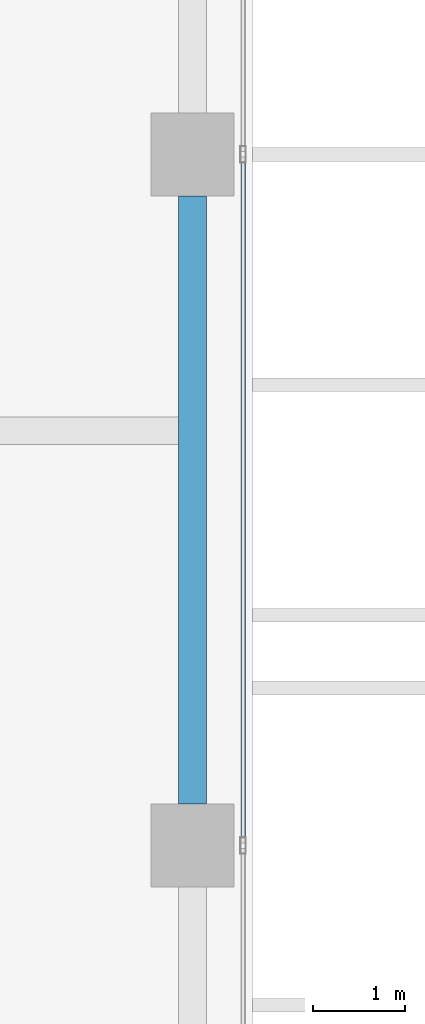
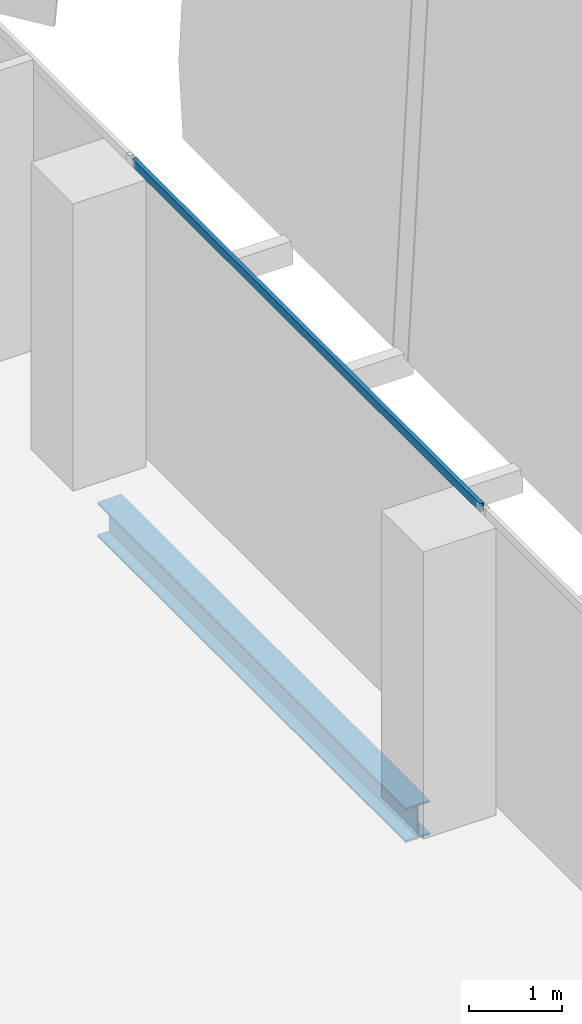
# One storey, part 13 of 35: 1 beam, 1 member, 1 element without a shape of its own.
"""IFC4 building model written with IfcOpenShell, lengths in metres."""

from ifc_helpers import new_model, si_unit, direction, frame, origin, origin_2d, place, context, subcontext, project, spatial, hollow_rectangle, i_section, extrude, source, transform, mapped, material, material_profile, profile_set, type_object, element, aggregate, save


model = new_model("IFC4")

# Units and contexts
model_context = context("Model", 3, precision=1e-05, world=origin(), true_north=direction((0.0, 1.0)))
body_context = subcontext(model_context, "Body", "Model", "MODEL_VIEW")
ifc_project = project(units=[si_unit("LENGTHUNIT", "METRE"), si_unit("AREAUNIT", "SQUARE_METRE"), si_unit("VOLUMEUNIT", "CUBIC_METRE"), si_unit("PLANEANGLEUNIT", "RADIAN"), si_unit("MASSUNIT", "GRAM", prefix="KILO")], contexts=[model_context])

# Site, building, storey
site_placement = place(None, origin())
site = spatial("IfcSite", under=ifc_project, at=site_placement, CompositionType="ELEMENT")
building_placement = place(site_placement, origin())
building = spatial("IfcBuilding", under=site, at=building_placement, Name="Khomas Fold Tower", CompositionType="ELEMENT")
storey_placement = place(building_placement, frame((0.0, 0.0, 266.199951171875)))
storey = spatial("IfcBuildingStorey", under=building, at=storey_placement, Name="L60", CompositionType="ELEMENT", Elevation=266.199951171875)

# Beam
ifc_material_1 = material(Name="Steel S355", Category="steel")
ifc_material_profile_1 = material_profile(ifc_material_1, i_section(OverallWidth=0.300048828125, OverallDepth=0.449951171875, WebThickness=0.013916015625, FlangeThickness=0.02587890625, at=origin_2d()), Name="HE 450 B")
ifc_profile_set_1 = profile_set([ifc_material_profile_1], Name="Steel S355")
beam_type = type_object("IfcBeamType", Name="HE 450 B spandrel SB4", PredefinedType="SPANDREL", material=ifc_profile_set_1)
shared_shape_1 = source(origin(), body_context, "Body", "SweptSolid", [
    extrude(i_section(OverallWidth=0.300048828125, OverallDepth=0.449951171875, WebThickness=0.013916015625, FlangeThickness=0.02587890625, at=origin_2d()), origin(), (0.0, 0.0, 1.0), 6.60009765625),
])
beam_placement = place(storey_placement, frame((48.85009765625, 27.449951171875, -0.474853515625), z_axis=(0.0, 1.0, 0.0), x_axis=(-1.0, 0.0, 0.0)))
element("IfcBeam", 1, at=beam_placement, inside=storey, type_object=beam_type, Name="SB4", PredefinedType="SPANDREL", context=body_context, shape_type="MappedRepresentation", body=[
    mapped(shared_shape_1, transform((0.0, 0.0, 0.0))),
])

# Curtain wall, member
ifc_material_2 = material(Name="Aluminium framed double glazing", Category="aluminium")
curtain_wall_type = type_object("IfcCurtainWallType", Name="SK-Unitised clear-glass wall, office floors CW2", PredefinedType="NOTDEFINED", material=ifc_material_2)
curtain_wall_placement = place(storey_placement, origin())
curtain_wall = element("IfcCurtainWall", 2, at=curtain_wall_placement, inside=storey, type_object=curtain_wall_type, Name="CW2 run L60 03-0", PredefinedType="NOTDEFINED")
ifc_material_3 = material(Name="Aluminium", Category="aluminium")
ifc_material_profile_2 = material_profile(ifc_material_3, hollow_rectangle(XDim=0.050048828125, YDim=0.110107421875, WallThickness=0.00390625, at=origin_2d()), Name="SK-Unitised clear-glass wall, office floors transom CW2-T")
ifc_profile_set_2 = profile_set([ifc_material_profile_2], Name="Aluminium")
member_type = type_object("IfcMemberType", Name="SK-Unitised clear-glass wall, office floors transom CW2-T", PredefinedType="USERDEFINED", material=ifc_profile_set_2)
shared_shape_2 = source(origin(), body_context, "Body", "SweptSolid", [
    extrude(hollow_rectangle(XDim=0.050048828125, YDim=0.110107421875, WallThickness=0.00390625, at=origin_2d()), origin(), (0.0, 0.0, 1.0), 7.43994140625),
])
member_placement = place(storey_placement, frame((49.39990234375, 27.030029296875, 3.695068359375), z_axis=(0.0, 1.0, 0.0), x_axis=(-1.0, 0.0, 0.0)))
member = element("IfcMember", 3, at=member_placement, type_object=member_type, Name="CW2 transom 4", ObjectType="TRANSOM", PredefinedType="USERDEFINED", context=body_context, shape_type="MappedRepresentation", body=[
    mapped(shared_shape_2, transform((0.0, 0.0, 0.0))),
])
aggregate(curtain_wall, [member])

save(model, "model.ifc")
